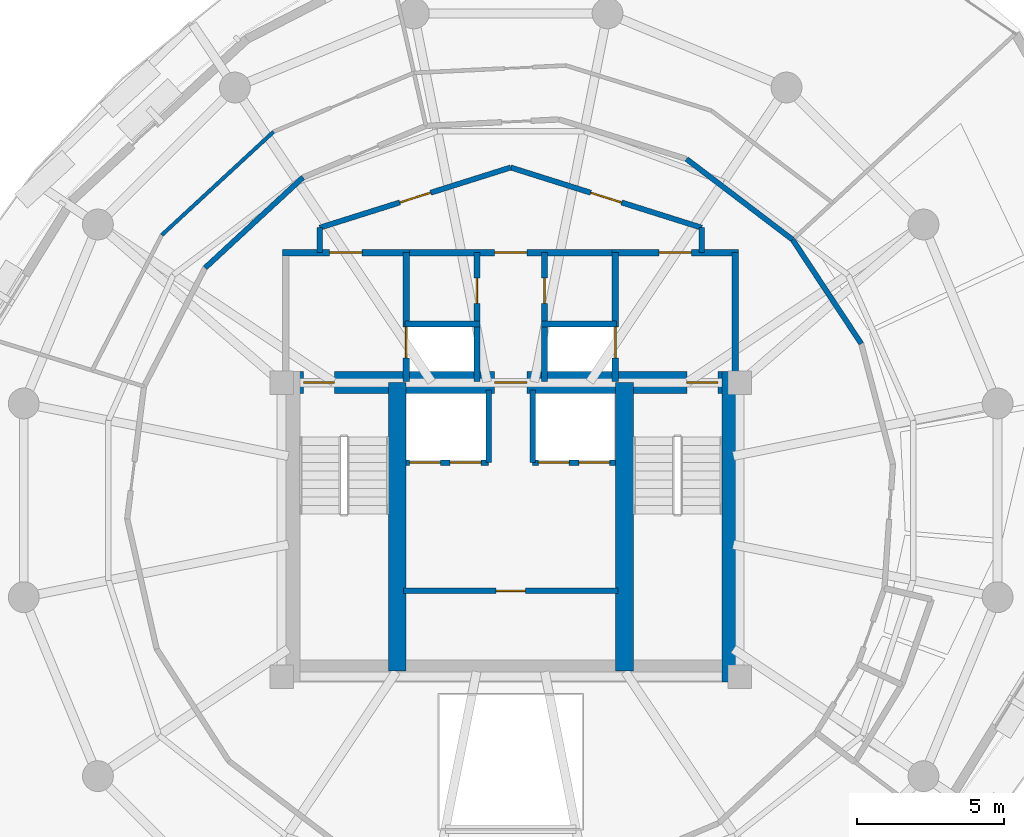
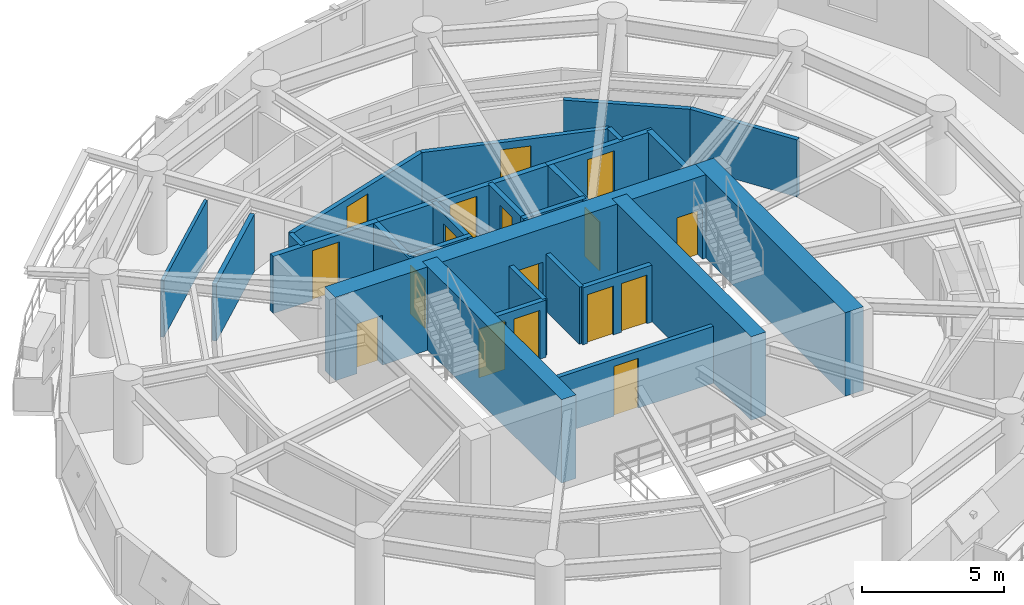
# One storey, part 8 of 12: 27 walls, 17 doors, 17 openings.
"""IFC4 building model written with IfcOpenShell, lengths in metres."""

import ifcopenshell
import ifcopenshell.guid

model = None  # the IFC model being written
_history = None  # IfcOwnerHistory: only IFC2X3 demands one
_inside = {}  # id of a spatial element -> (the spatial element, [elements in it])
_under = {}  # id of a project, library or spatial element -> (it, [spatial elements below it])
_declared = {}  # id of a project -> (the project, [libraries it declares])
_typed = {}  # id of a type object -> (the type object, [elements of that type])
_made_of = {}  # id of a material, layer set ... -> (it, [elements and type objects made of it])


def new_model(schema):
    """Start an empty IFC model of exactly this schema.

    Asked for "IFC4X3", IfcOpenShell would pick the latest addendum, in which some entities
    have other attributes; the version numbers below select the first issue.
    IFC2X3 requires an IfcOwnerHistory on every rooted entity: one is made here for all.
    """
    global model, _history
    if schema == "IFC4X3":
        model = ifcopenshell.file(schema_version=(4, 3, 0, 0))
    else:
        model = ifcopenshell.file(schema=schema)
    _inside.clear()
    _under.clear()
    _declared.clear()
    _typed.clear()
    _made_of.clear()
    _history = None
    if model.schema == "IFC2X3":
        org = make("IfcOrganization", Name="unknown")
        user = make(
            "IfcPersonAndOrganization",
            ThePerson=make("IfcPerson", FamilyName="unknown"),
            TheOrganization=org,
        )
        app = make(
            "IfcApplication",
            ApplicationDeveloper=org,
            Version="unknown",
            ApplicationFullName="unknown",
            ApplicationIdentifier="unknown",
        )
        _history = make(
            "IfcOwnerHistory",
            OwningUser=user,
            OwningApplication=app,
            ChangeAction="ADDED",
            CreationDate=0,
        )
    return model


def make(cls, **values):
    """One entity of the class cls with the attributes given. An attribute that is None is left unset."""
    return model.create_entity(
        cls, **{name: value for name, value in values.items() if value is not None}
    )


def rooted(cls, **values):
    """An entity with a GlobalId (a new one), such as an element, a storey or a relation."""
    return make(cls, GlobalId=ifcopenshell.guid.new(), OwnerHistory=_history, **values)


def si_unit(unit_type, name, prefix=None):
    """IfcSIUnit, for example si_unit("LENGTHUNIT", "METRE", prefix="MILLI")."""
    return make("IfcSIUnit", UnitType=unit_type, Prefix=prefix, Name=name)


def assignment(units):
    """IfcUnitAssignment: the units of a project."""
    return None if units is None else make("IfcUnitAssignment", Units=units)


def point(xyz):
    """IfcCartesianPoint."""
    return None if xyz is None else make("IfcCartesianPoint", Coordinates=xyz)


def direction(xyz):
    """IfcDirection."""
    return None if xyz is None else make("IfcDirection", DirectionRatios=xyz)


def frame(location, z_axis=None, x_axis=None):
    """IfcAxis2Placement3D, a coordinate frame: its origin and axes. An axis left out is left unset."""
    return make(
        "IfcAxis2Placement3D",
        Location=point(location),
        Axis=direction(z_axis),
        RefDirection=direction(x_axis),
    )


def frame_2d(location, x_axis=None):
    """IfcAxis2Placement2D, a coordinate frame in the plane: its origin and x axis."""
    return make(
        "IfcAxis2Placement2D", Location=point(location), RefDirection=direction(x_axis)
    )


def origin():
    """The frame at (0, 0, 0) with its axes left unset."""
    return frame((0.0, 0.0, 0.0))


def place(relative_to, where):
    """IfcLocalPlacement: puts the frame where relative to a parent placement (None: the world)."""
    return make(
        "IfcLocalPlacement", PlacementRelTo=relative_to, RelativePlacement=where
    )


def context(
    kind, dimensions, precision=None, world=None, true_north=None, identifier=None
):
    """IfcGeometricRepresentationContext, for example the 3D "Model" context."""
    return make(
        "IfcGeometricRepresentationContext",
        ContextIdentifier=identifier,
        ContextType=kind,
        CoordinateSpaceDimension=dimensions,
        Precision=precision,
        WorldCoordinateSystem=world,
        TrueNorth=true_north,
    )


def subcontext(parent, identifier, kind, view, scale=None):
    """IfcGeometricRepresentationSubContext, for example "Body" below "Model"."""
    return make(
        "IfcGeometricRepresentationSubContext",
        ContextIdentifier=identifier,
        ContextType=kind,
        ParentContext=parent,
        TargetScale=scale,
        TargetView=view,
    )


def project(units=None, contexts=None):
    """IfcProject with its units and contexts."""
    return rooted(
        "IfcProject",
        Name="project",
        RepresentationContexts=contexts,
        UnitsInContext=assignment(units),
    )


def spatial(cls, under=None, at=None, **own):
    """A site, building, storey or space (cls), placed at a placement, below another one or the project."""
    s = rooted(cls, ObjectPlacement=at, **own)
    if under is not None:
        _under.setdefault(under.id(), (under, []))[1].append(s)
    return s


def profile(cls, at=None, kind="AREA", **sizes):
    """A parametric profile (cls). Its sizes go by their IFC names, for example OverallWidth=200.0."""
    return make(cls, ProfileType=kind, Position=at, **sizes)


def rectangle(**sizes):
    """IfcRectangleProfileDef."""
    return profile("IfcRectangleProfileDef", **sizes)


def extrude(swept, where, along, depth):
    """IfcExtrudedAreaSolid: the profile swept, set in the frame where, extruded along a direction by depth."""
    return make(
        "IfcExtrudedAreaSolid",
        SweptArea=swept,
        Position=where,
        ExtrudedDirection=direction(along),
        Depth=depth,
    )


def shape(context_of_items, identifier, shape_type, items):
    """IfcShapeRepresentation: the items that make up one representation, for example the "Body"."""
    return make(
        "IfcShapeRepresentation",
        ContextOfItems=context_of_items,
        RepresentationIdentifier=identifier,
        RepresentationType=shape_type,
        Items=items,
    )


def material(Name=None, Category=None):
    """IfcMaterial."""
    return make("IfcMaterial", Name=Name, Category=Category)


def layer(
    of_material, thickness, ventilated=None, Name=None, Category=None, Priority=None
):
    """IfcMaterialLayer: one layer of a wall or slab, of a material (None: an air gap)."""
    return make(
        "IfcMaterialLayer",
        Material=of_material,
        LayerThickness=thickness,
        IsVentilated=ventilated,
        Name=Name,
        Category=Category,
        Priority=Priority,
    )


def layer_set(layers, Name=None):
    """IfcMaterialLayerSet."""
    return make("IfcMaterialLayerSet", MaterialLayers=layers, LayerSetName=Name)


def made_of(thing, what):
    """Note that an element or type object is made of a material, layer set ...; save() writes the relation."""
    if what is not None:
        _made_of.setdefault(what.id(), (what, []))[1].append(thing)
    return thing


def type_object(cls, material=None, **own):
    """A type object (cls), such as IfcWallType, which elements share."""
    return made_of(rooted(cls, **own), material)


def element(
    cls,
    number,
    at=None,
    inside=None,
    cuts=None,
    type_object=None,
    material=None,
    context=None,
    identifier="Body",
    shape_type=None,
    held_by="IfcProductDefinitionShape",
    body=None,
    shapes=None,
    **own,
):
    """One element of the class cls, such as IfcWall. Its Tag is "e" and its number.

    at: its placement. inside: the storey or other place that contains it. cuts: it is an
    opening in that element (IfcRelVoidsElement). A single representation is given by context,
    identifier, shape_type and body (its items); several are given by shapes. held_by: the class
    of the entity that holds the representations. save() writes the other relations.
    """
    e = rooted(cls, Tag="e%d" % number, ObjectPlacement=at, **own)
    if body is not None:
        shapes = [shape(context, identifier, shape_type, body)]
    if shapes is not None:
        e.Representation = make(held_by, Representations=shapes)
    if inside is not None:
        _inside.setdefault(inside.id(), (inside, []))[1].append(e)
    if cuts is not None:
        rooted(
            "IfcRelVoidsElement", RelatingBuildingElement=cuts, RelatedOpeningElement=e
        )
    if type_object is not None:
        _typed.setdefault(type_object.id(), (type_object, []))[1].append(e)
    return made_of(e, material)


def fill(opening, filler):
    """IfcRelFillsElement: the door or window that sits in an opening."""
    return rooted(
        "IfcRelFillsElement",
        RelatingOpeningElement=opening,
        RelatedBuildingElement=filler,
    )


def aggregate(whole, parts):
    """IfcRelAggregates: a whole, such as a stair, and the parts it consists of."""
    return rooted("IfcRelAggregates", RelatingObject=whole, RelatedObjects=parts)


def save(model, path):
    """Write the relations noted so far, then the file.

    IfcRelAggregates (storeys below a building ...), IfcRelContainedInSpatialStructure (elements
    in a storey), IfcRelDefinesByType, IfcRelAssociatesMaterial and IfcRelDeclares: one each for
    every whole, place, type object, material and project.
    """
    for whole, parts in _under.values():
        aggregate(whole, parts)
    for where, things in _inside.values():
        rooted(
            "IfcRelContainedInSpatialStructure",
            RelatedElements=things,
            RelatingStructure=where,
        )
    for kind, things in _typed.values():
        rooted("IfcRelDefinesByType", RelatedObjects=things, RelatingType=kind)
    for what, things in _made_of.values():
        rooted("IfcRelAssociatesMaterial", RelatedObjects=things, RelatingMaterial=what)
    for by, libraries in _declared.values():
        rooted("IfcRelDeclares", RelatingContext=by, RelatedDefinitions=libraries)
    model.write(path)


model = new_model("IFC4")

# Units and contexts
model_context = context("Model", 3, precision=1e-05, world=origin(), true_north=direction((0.0, 1.0)))
body_context = subcontext(model_context, "Body", "Model", "MODEL_VIEW")
ifc_project = project(units=[si_unit("LENGTHUNIT", "METRE"), si_unit("AREAUNIT", "SQUARE_METRE"), si_unit("VOLUMEUNIT", "CUBIC_METRE"), si_unit("PLANEANGLEUNIT", "RADIAN"), si_unit("MASSUNIT", "GRAM", prefix="KILO"), si_unit("THERMODYNAMICTEMPERATUREUNIT", "KELVIN"), si_unit("POWERUNIT", "WATT")], contexts=[model_context])

# Site, building, storey
site_placement = place(None, origin())
site = spatial("IfcSite", under=ifc_project, at=site_placement, CompositionType="ELEMENT")
building_placement = place(site_placement, origin())
building = spatial("IfcBuilding", under=site, at=building_placement, Name="Ocrelia Relay Tower", CompositionType="ELEMENT")
storey_placement = place(building_placement, frame((0.0, 0.0, 209.60009765625)))
storey = spatial("IfcBuildingStorey", under=building, at=storey_placement, Name="L51", CompositionType="ELEMENT", Elevation=209.60009765625)

# Wall, openings, doors
ifc_material_1 = material(Name="Concrete C60/75", Category="concrete")
ifc_layer_1 = layer(ifc_material_1, 0.75, Name="Concrete C60/75")
ifc_layer_set_1 = layer_set([ifc_layer_1], Name="Concrete C60/75")
wall_type_1 = type_object("IfcWallType", Name="CW-CORE-750", PredefinedType="SHEAR", material=ifc_layer_set_1)
wall_1_placement = place(storey_placement, frame((26.072021484375, 30.012939453125, 0.0), z_axis=(0.0, 0.0, 1.0), x_axis=(1.0, 0.0, 0.0)))
wall_1 = element("IfcWall", 1, at=wall_1_placement, inside=storey, type_object=wall_type_1, Name="L51 Core Shear Wall N", PredefinedType="SHEAR", context=body_context, shape_type="SweptSolid", body=[
    extrude(rectangle(XDim=15.865966796875, YDim=0.75, at=frame_2d((7.93310546875, 0.0))), origin(), (0.0, 0.0, 1.0), 3.599853515625),
])
opening_1_placement = place(wall_1_placement, frame((0.8779296875, 0.0, 0.0)))
opening_1 = element("IfcOpeningElement", 2, at=opening_1_placement, cuts=wall_1, Name="Opening D-FD90", PredefinedType="OPENING", context=body_context, shape_type="SweptSolid", body=[
    extrude(rectangle(XDim=1.050048828125, YDim=2.14990234375, at=frame_2d((0.52490234375, 1.074951171875))), frame((0.0, 0.385009765625, 0.0), z_axis=(0.0, -1.0, 0.0), x_axis=(1.0, 0.0, 0.0)), (0.0, 0.0, 1.0), 0.77001953125),
])
opening_2_placement = place(wall_1_placement, frame((13.927978515625, 0.0, 0.0)))
opening_2 = element("IfcOpeningElement", 3, at=opening_2_placement, cuts=wall_1, Name="Opening D-FD90", PredefinedType="OPENING", context=body_context, shape_type="SweptSolid", body=[
    extrude(rectangle(XDim=1.050048828125, YDim=2.14990234375, at=frame_2d((0.52490234375, 1.074951171875))), frame((0.0, 0.385009765625, 0.0), z_axis=(0.0, -1.0, 0.0), x_axis=(1.0, 0.0, 0.0)), (0.0, 0.0, 1.0), 0.77001953125),
])
opening_3_placement = place(wall_1_placement, frame((7.3779296875, 0.0, 0.0)))
opening_3 = element("IfcOpeningElement", 4, at=opening_3_placement, cuts=wall_1, Name="Opening D-FD60", PredefinedType="OPENING", context=body_context, shape_type="SweptSolid", body=[
    extrude(rectangle(XDim=1.10009765625, YDim=2.14990234375, at=frame_2d((0.550048828125, 1.074951171875))), frame((0.0, 0.385009765625, 0.0), z_axis=(0.0, -1.0, 0.0), x_axis=(1.0, 0.0, 0.0)), (0.0, 0.0, 1.0), 0.77001953125),
])
ifc_material_2 = material(Name="Timber-core 60-min acoustic fire door", Category="wood")
door_type_1 = type_object("IfcDoorType", Name="DR-LOBBY-FD60-1100", OperationType="NOTDEFINED", PredefinedType="DOOR", material=ifc_material_2)
door_1_placement = place(opening_3_placement, origin())
door_1 = element("IfcDoor", 5, at=door_1_placement, inside=storey, type_object=door_type_1, Name="L51 Core Lift Lobby North Fire Door", OperationType="SINGLE_SWING_LEFT", OverallHeight=2.14990234375, OverallWidth=1.10009765625, PredefinedType="DOOR", context=body_context, shape_type="SweptSolid", body=[
    extrude(rectangle(XDim=1.10009765625, YDim=2.14990234375, at=frame_2d((0.550048828125, 1.074951171875))), frame((0.0, 0.02490234375, 0.0), z_axis=(0.0, -1.0, 0.0), x_axis=(1.0, 0.0, 0.0)), (0.0, 0.0, 1.0), 0.050048828125),
])
fill(opening_3, door_1)
ifc_material_3 = material(Name="Steel S355 90-min fire door", Category="steel")
door_type_2 = type_object("IfcDoorType", Name="DR-STAIR-FD90-1050", OperationType="NOTDEFINED", PredefinedType="DOOR", material=ifc_material_3)
door_2_placement = place(opening_1_placement, origin())
door_2 = element("IfcDoor", 6, at=door_2_placement, inside=storey, type_object=door_type_2, Name="L51 Stair ST1 Fire Door", OperationType="SINGLE_SWING_LEFT", OverallHeight=2.14990234375, OverallWidth=1.050048828125, PredefinedType="DOOR", context=body_context, shape_type="SweptSolid", body=[
    extrude(rectangle(XDim=1.050048828125, YDim=2.14990234375, at=frame_2d((0.52490234375, 1.074951171875))), frame((0.0, 0.02490234375, 0.0), z_axis=(0.0, -1.0, 0.0), x_axis=(1.0, 0.0, 0.0)), (0.0, 0.0, 1.0), 0.050048828125),
])
fill(opening_1, door_2)
door_3_placement = place(opening_2_placement, origin())
door_3 = element("IfcDoor", 7, at=door_3_placement, inside=storey, type_object=door_type_2, Name="L51 Stair ST2 Fire Door", OperationType="SINGLE_SWING_RIGHT", OverallHeight=2.14990234375, OverallWidth=1.050048828125, PredefinedType="DOOR", context=body_context, shape_type="SweptSolid", body=[
    extrude(rectangle(XDim=1.050048828125, YDim=2.14990234375, at=frame_2d((0.52490234375, 1.074951171875))), frame((0.0, 0.02490234375, 0.0), z_axis=(0.0, -1.0, 0.0), x_axis=(1.0, 0.0, 0.0)), (0.0, 0.0, 1.0), 0.050048828125),
])
fill(opening_2, door_3)

# Walls
wall_2_placement = place(storey_placement, frame((41.56298828125, 19.81201171875, 0.0), z_axis=(0.0, 0.0, 1.0), x_axis=(0.0, 1.0, 0.0)))
element("IfcWall", 8, at=wall_2_placement, inside=storey, type_object=wall_type_1, Name="L51 Core Shear Wall E", PredefinedType="SHEAR", context=body_context, shape_type="SweptSolid", body=[
    extrude(rectangle(XDim=10.575927734375, YDim=0.75, at=frame_2d((5.2880859375, 0.0))), origin(), (0.0, 0.0, 1.0), 3.599853515625),
])
for number, where, z_axis, x_axis, name in (
    (9, (30.137939453125, 20.18701171875, 0.0), (0.0, 0.0, 1.0), (0.0, 1.0, 0.0), "L51 Core Shear Wall SPW"),
    (10, (37.8720703125, 20.18701171875, 0.0), (0.0, 0.0, 1.0), (0.0, 1.0, 0.0), "L51 Core Shear Wall SPE"),
):
    element("IfcWall", number, at=place(storey_placement, frame(where, z_axis=z_axis, x_axis=x_axis)), inside=storey, type_object=wall_type_1, Name=name, PredefinedType="SHEAR", context=body_context, shape_type="SweptSolid", body=[
        extrude(rectangle(XDim=9.825927734375, YDim=0.60009765625, at=frame_2d((4.9130859375, 0.0))), origin(), (0.0, 0.0, 1.0), 3.599853515625),
    ])

# Wall, opening, door
ifc_material_4 = material(Name="Gypsum Fireboard Partition EI60", Category="gypsum")
ifc_layer_2 = layer(ifc_material_4, 0.179931640625, Name="Gypsum Fireboard Partition EI60")
ifc_layer_set_2 = layer_set([ifc_layer_2], Name="Gypsum Fireboard Partition EI60")
wall_type_2 = type_object("IfcWallType", Name="W-CORR-EI60-180", PredefinedType="PARTITIONING", material=ifc_layer_set_2)
wall_3_placement = place(storey_placement, frame((30.35009765625, 22.919921875, 0.0), z_axis=(0.0, 0.0, 1.0), x_axis=(1.0, 0.0, 0.0)))
wall_3 = element("IfcWall", 11, at=wall_3_placement, inside=storey, type_object=wall_type_2, Name="L51 Reclaimed Core Room Partition", PredefinedType="PARTITIONING", context=body_context, shape_type="SweptSolid", body=[
    extrude(rectangle(XDim=7.2998046875, YDim=0.179931640625, at=frame_2d((3.64990234375, 0.0))), origin(), (0.0, 0.0, 1.0), 2.4599609375),
])
opening_4_placement = place(wall_3_placement, frame((3.14990234375, 0.0, 0.0)))
opening_4 = element("IfcOpeningElement", 12, at=opening_4_placement, cuts=wall_3, Name="Opening D-RM100", PredefinedType="OPENING", context=body_context, shape_type="SweptSolid", body=[
    extrude(rectangle(XDim=1.0, YDim=2.14990234375, at=frame_2d((0.5, 1.074951171875))), frame((0.0, 0.10009765625, 0.0), z_axis=(0.0, -1.0, 0.0), x_axis=(1.0, 0.0, 0.0)), (0.0, 0.0, 1.0), 0.199951171875),
])
ifc_material_5 = material(Name="Acoustic oak veneer fire door", Category="wood")
door_type_3 = type_object("IfcDoorType", Name="DR-ROOM-FD60-1000", OperationType="NOTDEFINED", PredefinedType="DOOR", material=ifc_material_5)
door_4_placement = place(opening_4_placement, origin())
door_4 = element("IfcDoor", 13, at=door_4_placement, inside=storey, type_object=door_type_3, Name="L51 Calibration Laboratory Door", OperationType="SINGLE_SWING_LEFT", OverallHeight=2.14990234375, OverallWidth=1.0, PredefinedType="DOOR", context=body_context, shape_type="SweptSolid", body=[
    extrude(rectangle(XDim=1.0, YDim=2.14990234375, at=frame_2d((0.5, 1.074951171875))), frame((0.0, 0.02490234375, 0.0), z_axis=(0.0, -1.0, 0.0), x_axis=(1.0, 0.0, 0.0)), (0.0, 0.0, 1.0), 0.050048828125),
])
fill(opening_4, door_4)

# Walls
for number, where, z_axis, x_axis, name in (
    (14, (27.5, 34.429931640625, 0.0), (0.0, 0.0, 1.0), (0.0, 1.0, 0.0), "L51 Smoke Lobby West Return"),
    (15, (40.5, 35.280029296875, 0.0), (0.0, 0.0, 1.0), (0.0, -1.0, 0.0), "L51 Smoke Lobby East Return"),
):
    element("IfcWall", number, at=place(storey_placement, frame(where, z_axis=z_axis, x_axis=x_axis)), inside=storey, type_object=wall_type_2, Name=name, PredefinedType="PARTITIONING", context=body_context, shape_type="SweptSolid", body=[
        extrude(rectangle(XDim=0.85009765625, YDim=0.179931640625, at=frame_2d((0.425048828125, 0.0))), origin(), (0.0, 0.0, 1.0), 2.4599609375),
    ])

# Wall, opening, door
wall_4_placement = place(storey_placement, frame((27.5, 35.280029296875, 0.0), z_axis=(0.0, 0.0, 1.0), x_axis=(0.953691418528, 0.300786765376, 0.0)))
wall_4 = element("IfcWall", 16, at=wall_4_placement, inside=storey, type_object=wall_type_2, Name="L51 North Smoke Lobby W Screen Wall", PredefinedType="PARTITIONING", context=body_context, shape_type="SweptSolid", body=[
    extrude(rectangle(XDim=6.815673828125, YDim=0.179931640625, at=frame_2d((3.40771484375, 0.0))), origin(), (0.0, 0.0, 1.0), 2.4599609375),
])
opening_5_placement = place(wall_4_placement, frame((2.85791015625, 0.0, 0.0)))
opening_5 = element("IfcOpeningElement", 17, at=opening_5_placement, cuts=wall_4, Name="Opening D-FD60", PredefinedType="OPENING", context=body_context, shape_type="SweptSolid", body=[
    extrude(rectangle(XDim=1.10009765625, YDim=2.14990234375, at=frame_2d((0.550048828125, 1.074951171875))), frame((0.0, 0.10009765625, 0.0), z_axis=(0.0, -1.0, 0.0), x_axis=(1.0, 0.0, 0.0)), (0.0, 0.0, 1.0), 0.199951171875),
])
door_5_placement = place(opening_5_placement, origin())
door_5 = element("IfcDoor", 18, at=door_5_placement, inside=storey, type_object=door_type_1, Name="L51 North Smoke Lobby W Fire Door", OperationType="SINGLE_SWING_RIGHT", OverallHeight=2.14990234375, OverallWidth=1.10009765625, PredefinedType="DOOR", context=body_context, shape_type="SweptSolid", body=[
    extrude(rectangle(XDim=1.10009765625, YDim=2.14990234375, at=frame_2d((0.550048828125, 1.074951171875))), frame((0.0, 0.02490234375, 0.0), z_axis=(0.0, -1.0, 0.0), x_axis=(1.0, 0.0, 0.0)), (0.0, 0.0, 1.0), 0.050048828125),
])
fill(opening_5, door_5)

wall_5_placement = place(storey_placement, frame((34.0, 37.330078125, 0.0), z_axis=(0.0, 0.0, 1.0), x_axis=(0.953691418528, -0.300786765376, 0.0)))
wall_5 = element("IfcWall", 19, at=wall_5_placement, inside=storey, type_object=wall_type_2, Name="L51 North Smoke Lobby E Screen Wall", PredefinedType="PARTITIONING", context=body_context, shape_type="SweptSolid", body=[
    extrude(rectangle(XDim=6.815673828125, YDim=0.179931640625, at=frame_2d((3.40771484375, 0.0))), origin(), (0.0, 0.0, 1.0), 2.4599609375),
])
opening_6_placement = place(wall_5_placement, frame((2.85791015625, 0.0, 0.0)))
opening_6 = element("IfcOpeningElement", 20, at=opening_6_placement, cuts=wall_5, Name="Opening D-FD60", PredefinedType="OPENING", context=body_context, shape_type="SweptSolid", body=[
    extrude(rectangle(XDim=1.10009765625, YDim=2.14990234375, at=frame_2d((0.550048828125, 1.074951171875))), frame((0.0, 0.10009765625, 0.0), z_axis=(0.0, -1.0, 0.0), x_axis=(1.0, 0.0, 0.0)), (0.0, 0.0, 1.0), 0.199951171875),
])
door_6_placement = place(opening_6_placement, origin())
door_6 = element("IfcDoor", 21, at=door_6_placement, inside=storey, type_object=door_type_1, Name="L51 North Smoke Lobby E Fire Door", OperationType="SINGLE_SWING_LEFT", OverallHeight=2.14990234375, OverallWidth=1.10009765625, PredefinedType="DOOR", context=body_context, shape_type="SweptSolid", body=[
    extrude(rectangle(XDim=1.10009765625, YDim=2.14990234375, at=frame_2d((0.550048828125, 1.074951171875))), frame((0.0, 0.02490234375, 0.0), z_axis=(0.0, -1.0, 0.0), x_axis=(1.0, 0.0, 0.0)), (0.0, 0.0, 1.0), 0.050048828125),
])
fill(opening_6, door_6)

# Walls
wall_6_placement = place(storey_placement, frame((45.932373046875, 31.33349609375, 0.0), z_axis=(0.0, 0.0, 1.0), x_axis=(-0.550746727174, 0.834672416285, 0.0)))
element("IfcWall", 22, at=wall_6_placement, inside=storey, type_object=wall_type_2, Name="L51 Spectrum Operations Office Corridor Partition 3", PredefinedType="PARTITIONING", context=body_context, shape_type="SweptSolid", body=[
    extrude(rectangle(XDim=4.2392578125, YDim=0.179931640625, at=frame_2d((2.11962890625, 0.0))), origin(), (0.0, 0.0, 1.0), 2.4599609375),
])
for number, where, z_axis, x_axis, name in (
    (23, (43.59765625, 34.871826171875, 0.0), (0.0, 0.0, 1.0), (-0.796006706309, 0.605287802216, 0.0), "L51 Visitor Concierge Foyer Corridor Partition 1"),
    (24, (26.929443359375, 36.992431640625, 0.0), (0.0, 0.0, 1.0), (-0.734314557322, -0.67880934798, 0.0), "L51 Client Arrival Foyer Corridor Partition 2"),
):
    element("IfcWall", number, at=place(storey_placement, frame(where, z_axis=z_axis, x_axis=x_axis)), inside=storey, type_object=wall_type_2, Name=name, PredefinedType="PARTITIONING", context=body_context, shape_type="SweptSolid", body=[
        extrude(rectangle(XDim=4.539306640625, YDim=0.179931640625, at=frame_2d((2.26953125, 0.0))), origin(), (0.0, 0.0, 1.0), 2.4599609375),
    ])

# Wall, opening, door
ifc_material_6 = material(Name="Concrete C50/60", Category="concrete")
ifc_layer_3 = layer(ifc_material_6, 0.219970703125, Name="Concrete C50/60")
ifc_layer_set_3 = layer_set([ifc_layer_3], Name="Concrete C50/60")
wall_type_3 = type_object("IfcWallType", Name="W-FFL-EI120-220", PredefinedType="SOLIDWALL", material=ifc_layer_set_3)
wall_7_placement = place(storey_placement, frame((30.43994140625, 30.050048828125, 0.0), z_axis=(0.0, 0.0, 1.0), x_axis=(0.0, 1.0, 0.0)))
wall_7 = element("IfcWall", 25, at=wall_7_placement, inside=storey, type_object=wall_type_3, Name="L51 W Fire Service Lift Lobby East Wall", PredefinedType="SOLIDWALL", context=body_context, shape_type="SweptSolid", body=[
    extrude(rectangle(XDim=4.3798828125, YDim=0.219970703125, at=frame_2d((2.18994140625, 0.0))), origin(), (0.0, 0.0, 1.0), 2.4599609375),
])
opening_7_placement = place(wall_7_placement, frame((0.800048828125, 0.0, 0.0)))
opening_7 = element("IfcOpeningElement", 26, at=opening_7_placement, cuts=wall_7, Name="Opening LD-FFL1", PredefinedType="OPENING", context=body_context, shape_type="SweptSolid", body=[
    extrude(rectangle(XDim=1.050048828125, YDim=2.10009765625, at=frame_2d((0.52490234375, 1.050048828125))), frame((0.0, 0.1201171875, 0.0), z_axis=(0.0, -1.0, 0.0), x_axis=(1.0, 0.0, 0.0)), (0.0, 0.0, 1.0), 0.239990234375),
])
ifc_material_7 = material(Name="Brushed stainless steel S355 lift landing door", Category="steel")
door_type_4 = type_object("IfcDoorType", Name="DR-LIFT-LAND-1050", OperationType="DOUBLE_DOOR_SLIDING", PredefinedType="USERDEFINED", material=ifc_material_7)
door_7_placement = place(opening_7_placement, origin())
door_7 = element("IfcDoor", 27, at=door_7_placement, inside=storey, type_object=door_type_4, Name="L51 Firefighting Lift FFL1 Sliding Landing Door", ObjectType="LANDING DOOR", OperationType="DOUBLE_DOOR_SLIDING", OverallHeight=2.10009765625, OverallWidth=1.050048828125, PredefinedType="USERDEFINED", context=body_context, shape_type="SweptSolid", body=[
    extrude(rectangle(XDim=1.050048828125, YDim=2.10009765625, at=frame_2d((0.52490234375, 1.050048828125))), frame((0.0, 0.02490234375, 0.0), z_axis=(0.0, -1.0, 0.0), x_axis=(1.0, 0.0, 0.0)), (0.0, 0.0, 1.0), 0.050048828125),
])
fill(opening_7, door_7)

wall_8_placement = place(storey_placement, frame((26.239990234375, 34.429931640625, 0.0), z_axis=(0.0, 0.0, 1.0), x_axis=(1.0, 0.0, 0.0)))
wall_8 = element("IfcWall", 28, at=wall_8_placement, inside=storey, type_object=wall_type_3, Name="L51 W Fire Service Lift Lobby North Wall", PredefinedType="SOLIDWALL", context=body_context, shape_type="SweptSolid", body=[
    extrude(rectangle(XDim=4.31005859375, YDim=0.219970703125, at=frame_2d((2.155029296875, 0.0))), origin(), (0.0, 0.0, 1.0), 2.4599609375),
])
opening_8_placement = place(wall_8_placement, frame((1.60009765625, 0.0, 0.0)))
opening_8 = element("IfcOpeningElement", 29, at=opening_8_placement, cuts=wall_8, Name="Opening D-FD60", PredefinedType="OPENING", context=body_context, shape_type="SweptSolid", body=[
    extrude(rectangle(XDim=1.10009765625, YDim=2.14990234375, at=frame_2d((0.550048828125, 1.074951171875))), frame((0.0, 0.1201171875, 0.0), z_axis=(0.0, -1.0, 0.0), x_axis=(1.0, 0.0, 0.0)), (0.0, 0.0, 1.0), 0.239990234375),
])
door_8_placement = place(opening_8_placement, origin())
door_8 = element("IfcDoor", 30, at=door_8_placement, inside=storey, type_object=door_type_1, Name="L51 W Fire Service Lift Lobby Exit Door", OperationType="SINGLE_SWING_RIGHT", OverallHeight=2.14990234375, OverallWidth=1.10009765625, PredefinedType="DOOR", context=body_context, shape_type="SweptSolid", body=[
    extrude(rectangle(XDim=1.10009765625, YDim=2.14990234375, at=frame_2d((0.550048828125, 1.074951171875))), frame((0.0, 0.02490234375, 0.0), z_axis=(0.0, -1.0, 0.0), x_axis=(1.0, 0.0, 0.0)), (0.0, 0.0, 1.0), 0.050048828125),
])
fill(opening_8, door_8)

wall_9_placement = place(storey_placement, frame((37.56005859375, 30.050048828125, 0.0), z_axis=(0.0, 0.0, 1.0), x_axis=(0.0, 1.0, 0.0)))
wall_9 = element("IfcWall", 31, at=wall_9_placement, inside=storey, type_object=wall_type_3, Name="L51 E Fire Service Lift Lobby West Wall", PredefinedType="SOLIDWALL", context=body_context, shape_type="SweptSolid", body=[
    extrude(rectangle(XDim=4.3798828125, YDim=0.219970703125, at=frame_2d((2.18994140625, 0.0))), origin(), (0.0, 0.0, 1.0), 2.4599609375),
])
opening_9_placement = place(wall_9_placement, frame((0.800048828125, 0.0, 0.0)))
opening_9 = element("IfcOpeningElement", 32, at=opening_9_placement, cuts=wall_9, Name="Opening LD-FFL2", PredefinedType="OPENING", context=body_context, shape_type="SweptSolid", body=[
    extrude(rectangle(XDim=1.050048828125, YDim=2.10009765625, at=frame_2d((0.52490234375, 1.050048828125))), frame((0.0, 0.1201171875, 0.0), z_axis=(0.0, -1.0, 0.0), x_axis=(1.0, 0.0, 0.0)), (0.0, 0.0, 1.0), 0.239990234375),
])
door_9_placement = place(opening_9_placement, origin())
door_9 = element("IfcDoor", 33, at=door_9_placement, inside=storey, type_object=door_type_4, Name="L51 Firefighting Lift FFL2 Sliding Landing Door", ObjectType="LANDING DOOR", OperationType="DOUBLE_DOOR_SLIDING", OverallHeight=2.10009765625, OverallWidth=1.050048828125, PredefinedType="USERDEFINED", context=body_context, shape_type="SweptSolid", body=[
    extrude(rectangle(XDim=1.050048828125, YDim=2.10009765625, at=frame_2d((0.52490234375, 1.050048828125))), frame((0.0, 0.02490234375, 0.0), z_axis=(0.0, -1.0, 0.0), x_axis=(1.0, 0.0, 0.0)), (0.0, 0.0, 1.0), 0.050048828125),
])
fill(opening_9, door_9)

# Wall
wall_10_placement = place(storey_placement, frame((41.64990234375, 30.050048828125, 0.0), z_axis=(0.0, 0.0, 1.0), x_axis=(0.0, 1.0, 0.0)))
element("IfcWall", 34, at=wall_10_placement, inside=storey, type_object=wall_type_3, Name="L51 E Fire Service Lift Lobby East Wall", PredefinedType="SOLIDWALL", context=body_context, shape_type="SweptSolid", body=[
    extrude(rectangle(XDim=4.3798828125, YDim=0.219970703125, at=frame_2d((2.18994140625, 0.0))), origin(), (0.0, 0.0, 1.0), 2.4599609375),
])

# Wall, opening, door
wall_11_placement = place(storey_placement, frame((37.449951171875, 34.429931640625, 0.0), z_axis=(0.0, 0.0, 1.0), x_axis=(1.0, 0.0, 0.0)))
wall_11 = element("IfcWall", 35, at=wall_11_placement, inside=storey, type_object=wall_type_3, Name="L51 E Fire Service Lift Lobby North Wall", PredefinedType="SOLIDWALL", context=body_context, shape_type="SweptSolid", body=[
    extrude(rectangle(XDim=4.31005859375, YDim=0.219970703125, at=frame_2d((2.155029296875, 0.0))), origin(), (0.0, 0.0, 1.0), 2.4599609375),
])
opening_10_placement = place(wall_11_placement, frame((1.60009765625, 0.0, 0.0)))
opening_10 = element("IfcOpeningElement", 36, at=opening_10_placement, cuts=wall_11, Name="Opening D-FD60", PredefinedType="OPENING", context=body_context, shape_type="SweptSolid", body=[
    extrude(rectangle(XDim=1.10009765625, YDim=2.14990234375, at=frame_2d((0.550048828125, 1.074951171875))), frame((0.0, 0.1201171875, 0.0), z_axis=(0.0, -1.0, 0.0), x_axis=(1.0, 0.0, 0.0)), (0.0, 0.0, 1.0), 0.239990234375),
])
door_10_placement = place(opening_10_placement, origin())
door_10 = element("IfcDoor", 37, at=door_10_placement, inside=storey, type_object=door_type_1, Name="L51 E Fire Service Lift Lobby Exit Door", OperationType="SINGLE_SWING_RIGHT", OverallHeight=2.14990234375, OverallWidth=1.10009765625, PredefinedType="DOOR", context=body_context, shape_type="SweptSolid", body=[
    extrude(rectangle(XDim=1.10009765625, YDim=2.14990234375, at=frame_2d((0.550048828125, 1.074951171875))), frame((0.0, 0.02490234375, 0.0), z_axis=(0.0, -1.0, 0.0), x_axis=(1.0, 0.0, 0.0)), (0.0, 0.0, 1.0), 0.050048828125),
])
fill(opening_10, door_10)

wall_12_placement = place(storey_placement, frame((30.43994140625, 34.429931640625, 0.0), z_axis=(0.0, 0.0, 1.0), x_axis=(1.0, 0.0, 0.0)))
wall_12 = element("IfcWall", 38, at=wall_12_placement, inside=storey, type_object=wall_type_3, Name="L51 North Core Vestibule Wall", PredefinedType="SOLIDWALL", context=body_context, shape_type="SweptSolid", body=[
    extrude(rectangle(XDim=7.1201171875, YDim=0.219970703125, at=frame_2d((3.56005859375, 0.0))), origin(), (0.0, 0.0, 1.0), 2.4599609375),
])
opening_11_placement = place(wall_12_placement, frame((3.010009765625, 0.0, 0.0)))
opening_11 = element("IfcOpeningElement", 39, at=opening_11_placement, cuts=wall_12, Name="Opening D-FD60", PredefinedType="OPENING", context=body_context, shape_type="SweptSolid", body=[
    extrude(rectangle(XDim=1.10009765625, YDim=2.14990234375, at=frame_2d((0.550048828125, 1.074951171875))), frame((0.0, 0.1201171875, 0.0), z_axis=(0.0, -1.0, 0.0), x_axis=(1.0, 0.0, 0.0)), (0.0, 0.0, 1.0), 0.239990234375),
])
door_11_placement = place(opening_11_placement, origin())
door_11 = element("IfcDoor", 40, at=door_11_placement, inside=storey, type_object=door_type_1, Name="L51 North Core Vestibule Corridor Door", OperationType="SINGLE_SWING_RIGHT", OverallHeight=2.14990234375, OverallWidth=1.10009765625, PredefinedType="DOOR", context=body_context, shape_type="SweptSolid", body=[
    extrude(rectangle(XDim=1.10009765625, YDim=2.14990234375, at=frame_2d((0.550048828125, 1.074951171875))), frame((0.0, 0.02490234375, 0.0), z_axis=(0.0, -1.0, 0.0), x_axis=(1.0, 0.0, 0.0)), (0.0, 0.0, 1.0), 0.050048828125),
])
fill(opening_11, door_11)

# Walls
ifc_material_8 = material(Name="Acoustic Fireboard Partition EI60", Category="gypsum")
ifc_layer_4 = layer(ifc_material_8, 0.125, Name="Acoustic Fireboard Partition EI60")
ifc_layer_set_4 = layer_set([ifc_layer_4], Name="Acoustic Fireboard Partition EI60")
wall_type_4 = type_object("IfcWallType", Name="W-PART-125", PredefinedType="PARTITIONING", material=ifc_layer_set_4)
wall_13_placement = place(storey_placement, frame((25.9287109375, 38.54833984375, 0.0), z_axis=(0.0, 0.0, 1.0), x_axis=(-0.734313721309, -0.678810252351, 0.0)))
element("IfcWall", 41, at=wall_13_placement, inside=storey, type_object=wall_type_4, Name="L51 Perimeter Client Arrival Foyer Mid-Ring Partition 2", PredefinedType="PARTITIONING", context=body_context, shape_type="SweptSolid", body=[
    extrude(rectangle(XDim=5.181640625, YDim=0.125, at=frame_2d((2.5908203125, 0.0))), origin(), (0.0, 0.0, 1.0), 2.4599609375),
])
ifc_layer_5 = layer(ifc_material_6, 0.199951171875, Name="Concrete C50/60")
ifc_layer_set_5 = layer_set([ifc_layer_5], Name="Concrete C50/60")
wall_type_5 = type_object("IfcWallType", Name="W-SHAFT-EI120-200", PredefinedType="SOLIDWALL", material=ifc_layer_set_5)
wall_14_placement = place(storey_placement, frame((30.39990234375, 32.0, 0.0), z_axis=(0.0, 0.0, 1.0), x_axis=(1.0, 0.0, 0.0)))
element("IfcWall", 42, at=wall_14_placement, inside=storey, type_object=wall_type_5, Name="L51 FFL1 Hoistway North Wall", PredefinedType="SOLIDWALL", context=body_context, shape_type="SweptSolid", body=[
    extrude(rectangle(XDim=2.550048828125, YDim=0.199951171875, at=frame_2d((1.27490234375, 0.0))), origin(), (0.0, 0.0, 1.0), 2.4599609375),
])

# Wall, opening, door
wall_15_placement = place(storey_placement, frame((32.85009765625, 30.050048828125, 0.0), z_axis=(0.0, 0.0, 1.0), x_axis=(0.0, 1.0, 0.0)))
wall_15 = element("IfcWall", 43, at=wall_15_placement, inside=storey, type_object=wall_type_5, Name="L51 FFL1 and Service Vestibule Wall", PredefinedType="SOLIDWALL", context=body_context, shape_type="SweptSolid", body=[
    extrude(rectangle(XDim=4.3798828125, YDim=0.199951171875, at=frame_2d((2.18994140625, 0.0))), origin(), (0.0, 0.0, 1.0), 2.4599609375),
])
opening_12_placement = place(wall_15_placement, frame((2.64990234375, 0.0, 0.0)))
opening_12 = element("IfcOpeningElement", 44, at=opening_12_placement, cuts=wall_15, Name="Opening D-RS86", PredefinedType="OPENING", context=body_context, shape_type="SweptSolid", body=[
    extrude(rectangle(XDim=0.860107421875, YDim=2.050048828125, at=frame_2d((0.43017578125, 1.02490234375))), frame((0.0, 0.10986328125, 0.0), z_axis=(0.0, -1.0, 0.0), x_axis=(1.0, 0.0, 0.0)), (0.0, 0.0, 1.0), 0.219970703125),
])
ifc_material_9 = material(Name="Steel S355 riser access fire door", Category="steel")
door_type_5 = type_object("IfcDoorType", Name="DR-RISER-TRAP-860", OperationType="NOTDEFINED", PredefinedType="TRAPDOOR", material=ifc_material_9)
door_12_placement = place(opening_12_placement, origin())
door_12 = element("IfcDoor", 45, at=door_12_placement, inside=storey, type_object=door_type_5, Name="L51 Core Support Room W Door", OperationType="SINGLE_SWING_LEFT", OverallHeight=2.050048828125, OverallWidth=0.860107421875, PredefinedType="TRAPDOOR", context=body_context, shape_type="SweptSolid", body=[
    extrude(rectangle(XDim=0.860107421875, YDim=2.050048828125, at=frame_2d((0.43017578125, 1.02490234375))), frame((0.0, 0.02490234375, 0.0), z_axis=(0.0, -1.0, 0.0), x_axis=(1.0, 0.0, 0.0)), (0.0, 0.0, 1.0), 0.050048828125),
])
fill(opening_12, door_12)

# Wall
wall_16_placement = place(storey_placement, frame((35.050048828125, 32.0, 0.0), z_axis=(0.0, 0.0, 1.0), x_axis=(1.0, 0.0, 0.0)))
element("IfcWall", 46, at=wall_16_placement, inside=storey, type_object=wall_type_5, Name="L51 FFL2 Hoistway North Wall", PredefinedType="SOLIDWALL", context=body_context, shape_type="SweptSolid", body=[
    extrude(rectangle(XDim=2.550048828125, YDim=0.199951171875, at=frame_2d((1.27490234375, 0.0))), origin(), (0.0, 0.0, 1.0), 2.4599609375),
])

# Wall, opening, door
wall_17_placement = place(storey_placement, frame((35.14990234375, 30.050048828125, 0.0), z_axis=(0.0, 0.0, 1.0), x_axis=(0.0, 1.0, 0.0)))
wall_17 = element("IfcWall", 47, at=wall_17_placement, inside=storey, type_object=wall_type_5, Name="L51 FFL2 and Service Vestibule Wall", PredefinedType="SOLIDWALL", context=body_context, shape_type="SweptSolid", body=[
    extrude(rectangle(XDim=4.3798828125, YDim=0.199951171875, at=frame_2d((2.18994140625, 0.0))), origin(), (0.0, 0.0, 1.0), 2.4599609375),
])
opening_13_placement = place(wall_17_placement, frame((2.64990234375, 0.0, 0.0)))
opening_13 = element("IfcOpeningElement", 48, at=opening_13_placement, cuts=wall_17, Name="Opening D-RS86", PredefinedType="OPENING", context=body_context, shape_type="SweptSolid", body=[
    extrude(rectangle(XDim=0.860107421875, YDim=2.050048828125, at=frame_2d((0.43017578125, 1.02490234375))), frame((0.0, 0.10986328125, 0.0), z_axis=(0.0, -1.0, 0.0), x_axis=(1.0, 0.0, 0.0)), (0.0, 0.0, 1.0), 0.219970703125),
])
door_13_placement = place(opening_13_placement, origin())
door_13 = element("IfcDoor", 49, at=door_13_placement, inside=storey, type_object=door_type_5, Name="L51 Core Support Room E Door", OperationType="SINGLE_SWING_LEFT", OverallHeight=2.050048828125, OverallWidth=0.860107421875, PredefinedType="TRAPDOOR", context=body_context, shape_type="SweptSolid", body=[
    extrude(rectangle(XDim=0.860107421875, YDim=2.050048828125, at=frame_2d((0.43017578125, 1.02490234375))), frame((0.0, 0.02490234375, 0.0), z_axis=(0.0, -1.0, 0.0), x_axis=(1.0, 0.0, 0.0)), (0.0, 0.0, 1.0), 0.050048828125),
])
fill(opening_13, door_13)

# Wall, openings, doors
wall_18_placement = place(storey_placement, frame((30.43994140625, 27.280029296875, 0.0), z_axis=(0.0, 0.0, 1.0), x_axis=(1.0, 0.0, 0.0)))
wall_18 = element("IfcWall", 50, at=wall_18_placement, inside=storey, type_object=wall_type_5, Name="L51 High-Rise Lift Hoistway Wall W", PredefinedType="SOLIDWALL", context=body_context, shape_type="SweptSolid", body=[
    extrude(rectangle(XDim=2.81005859375, YDim=0.199951171875, at=frame_2d((1.405029296875, 0.0))), origin(), (0.0, 0.0, 1.0), 2.4599609375),
])
opening_14_placement = place(wall_18_placement, frame((0.1201171875, 0.0, 0.0)))
opening_14 = element("IfcOpeningElement", 51, at=opening_14_placement, cuts=wall_18, Name="Opening LD-PL5", PredefinedType="OPENING", context=body_context, shape_type="SweptSolid", body=[
    extrude(rectangle(XDim=1.050048828125, YDim=2.10009765625, at=frame_2d((0.52490234375, 1.050048828125))), frame((0.0, 0.10986328125, 0.0), z_axis=(0.0, -1.0, 0.0), x_axis=(1.0, 0.0, 0.0)), (0.0, 0.0, 1.0), 0.219970703125),
])
opening_15_placement = place(wall_18_placement, frame((1.5, 0.0, 0.0)))
opening_15 = element("IfcOpeningElement", 52, at=opening_15_placement, cuts=wall_18, Name="Opening LD-PL6", PredefinedType="OPENING", context=body_context, shape_type="SweptSolid", body=[
    extrude(rectangle(XDim=1.050048828125, YDim=2.10009765625, at=frame_2d((0.52490234375, 1.050048828125))), frame((0.0, 0.10986328125, 0.0), z_axis=(0.0, -1.0, 0.0), x_axis=(1.0, 0.0, 0.0)), (0.0, 0.0, 1.0), 0.219970703125),
])
door_14_placement = place(opening_14_placement, origin())
door_14 = element("IfcDoor", 53, at=door_14_placement, inside=storey, type_object=door_type_4, Name="L51 High-Rise Lift PL5 Sliding Landing Door", ObjectType="LANDING DOOR", OperationType="DOUBLE_DOOR_SLIDING", OverallHeight=2.10009765625, OverallWidth=1.050048828125, PredefinedType="USERDEFINED", context=body_context, shape_type="SweptSolid", body=[
    extrude(rectangle(XDim=1.050048828125, YDim=2.10009765625, at=frame_2d((0.52490234375, 1.050048828125))), frame((0.0, 0.02490234375, 0.0), z_axis=(0.0, -1.0, 0.0), x_axis=(1.0, 0.0, 0.0)), (0.0, 0.0, 1.0), 0.050048828125),
])
fill(opening_14, door_14)
door_15_placement = place(opening_15_placement, origin())
door_15 = element("IfcDoor", 54, at=door_15_placement, inside=storey, type_object=door_type_4, Name="L51 High-Rise Lift PL6 Sliding Landing Door", ObjectType="LANDING DOOR", OperationType="DOUBLE_DOOR_SLIDING", OverallHeight=2.10009765625, OverallWidth=1.050048828125, PredefinedType="USERDEFINED", context=body_context, shape_type="SweptSolid", body=[
    extrude(rectangle(XDim=1.050048828125, YDim=2.10009765625, at=frame_2d((0.52490234375, 1.050048828125))), frame((0.0, 0.02490234375, 0.0), z_axis=(0.0, -1.0, 0.0), x_axis=(1.0, 0.0, 0.0)), (0.0, 0.0, 1.0), 0.050048828125),
])
fill(opening_15, door_15)

# Wall
wall_19_placement = place(storey_placement, frame((33.25, 27.280029296875, 0.0), z_axis=(0.0, 0.0, 1.0), x_axis=(0.0, 1.0, 0.0)))
element("IfcWall", 55, at=wall_19_placement, inside=storey, type_object=wall_type_5, Name="L51 High-Rise Lift Throat Wall W", PredefinedType="SOLIDWALL", context=body_context, shape_type="SweptSolid", body=[
    extrude(rectangle(XDim=2.469970703125, YDim=0.179931640625, at=frame_2d((1.23486328125, 0.0))), origin(), (0.0, 0.0, 1.0), 2.4599609375),
])

# Wall, openings, doors
wall_20_placement = place(storey_placement, frame((34.75, 27.280029296875, 0.0), z_axis=(0.0, 0.0, 1.0), x_axis=(1.0, 0.0, 0.0)))
wall_20 = element("IfcWall", 56, at=wall_20_placement, inside=storey, type_object=wall_type_5, Name="L51 High-Rise Lift Hoistway Wall E", PredefinedType="SOLIDWALL", context=body_context, shape_type="SweptSolid", body=[
    extrude(rectangle(XDim=2.81005859375, YDim=0.199951171875, at=frame_2d((1.405029296875, 0.0))), origin(), (0.0, 0.0, 1.0), 2.4599609375),
])
opening_16_placement = place(wall_20_placement, frame((0.18994140625, 0.0, 0.0)))
opening_16 = element("IfcOpeningElement", 57, at=opening_16_placement, cuts=wall_20, Name="Opening LD-PL7", PredefinedType="OPENING", context=body_context, shape_type="SweptSolid", body=[
    extrude(rectangle(XDim=1.050048828125, YDim=2.10009765625, at=frame_2d((0.52490234375, 1.050048828125))), frame((0.0, 0.10986328125, 0.0), z_axis=(0.0, -1.0, 0.0), x_axis=(1.0, 0.0, 0.0)), (0.0, 0.0, 1.0), 0.219970703125),
])
opening_17_placement = place(wall_20_placement, frame((1.570068359375, 0.0, 0.0)))
opening_17 = element("IfcOpeningElement", 58, at=opening_17_placement, cuts=wall_20, Name="Opening LD-PL8", PredefinedType="OPENING", context=body_context, shape_type="SweptSolid", body=[
    extrude(rectangle(XDim=1.050048828125, YDim=2.10009765625, at=frame_2d((0.52490234375, 1.050048828125))), frame((0.0, 0.10986328125, 0.0), z_axis=(0.0, -1.0, 0.0), x_axis=(1.0, 0.0, 0.0)), (0.0, 0.0, 1.0), 0.219970703125),
])
door_16_placement = place(opening_16_placement, origin())
door_16 = element("IfcDoor", 59, at=door_16_placement, inside=storey, type_object=door_type_4, Name="L51 High-Rise Lift PL7 Sliding Landing Door", ObjectType="LANDING DOOR", OperationType="DOUBLE_DOOR_SLIDING", OverallHeight=2.10009765625, OverallWidth=1.050048828125, PredefinedType="USERDEFINED", context=body_context, shape_type="SweptSolid", body=[
    extrude(rectangle(XDim=1.050048828125, YDim=2.10009765625, at=frame_2d((0.52490234375, 1.050048828125))), frame((0.0, 0.02490234375, 0.0), z_axis=(0.0, -1.0, 0.0), x_axis=(1.0, 0.0, 0.0)), (0.0, 0.0, 1.0), 0.050048828125),
])
fill(opening_16, door_16)
door_17_placement = place(opening_17_placement, origin())
door_17 = element("IfcDoor", 60, at=door_17_placement, inside=storey, type_object=door_type_4, Name="L51 High-Rise Lift PL8 Sliding Landing Door", ObjectType="LANDING DOOR", OperationType="DOUBLE_DOOR_SLIDING", OverallHeight=2.10009765625, OverallWidth=1.050048828125, PredefinedType="USERDEFINED", context=body_context, shape_type="SweptSolid", body=[
    extrude(rectangle(XDim=1.050048828125, YDim=2.10009765625, at=frame_2d((0.52490234375, 1.050048828125))), frame((0.0, 0.02490234375, 0.0), z_axis=(0.0, -1.0, 0.0), x_axis=(1.0, 0.0, 0.0)), (0.0, 0.0, 1.0), 0.050048828125),
])
fill(opening_17, door_17)

# Wall
wall_21_placement = place(storey_placement, frame((34.75, 27.280029296875, 0.0), z_axis=(0.0, 0.0, 1.0), x_axis=(0.0, 1.0, 0.0)))
element("IfcWall", 61, at=wall_21_placement, inside=storey, type_object=wall_type_5, Name="L51 High-Rise Lift Throat Wall E", PredefinedType="SOLIDWALL", context=body_context, shape_type="SweptSolid", body=[
    extrude(rectangle(XDim=2.469970703125, YDim=0.179931640625, at=frame_2d((1.23486328125, 0.0))), origin(), (0.0, 0.0, 1.0), 2.4599609375),
])

save(model, "model.ifc")
